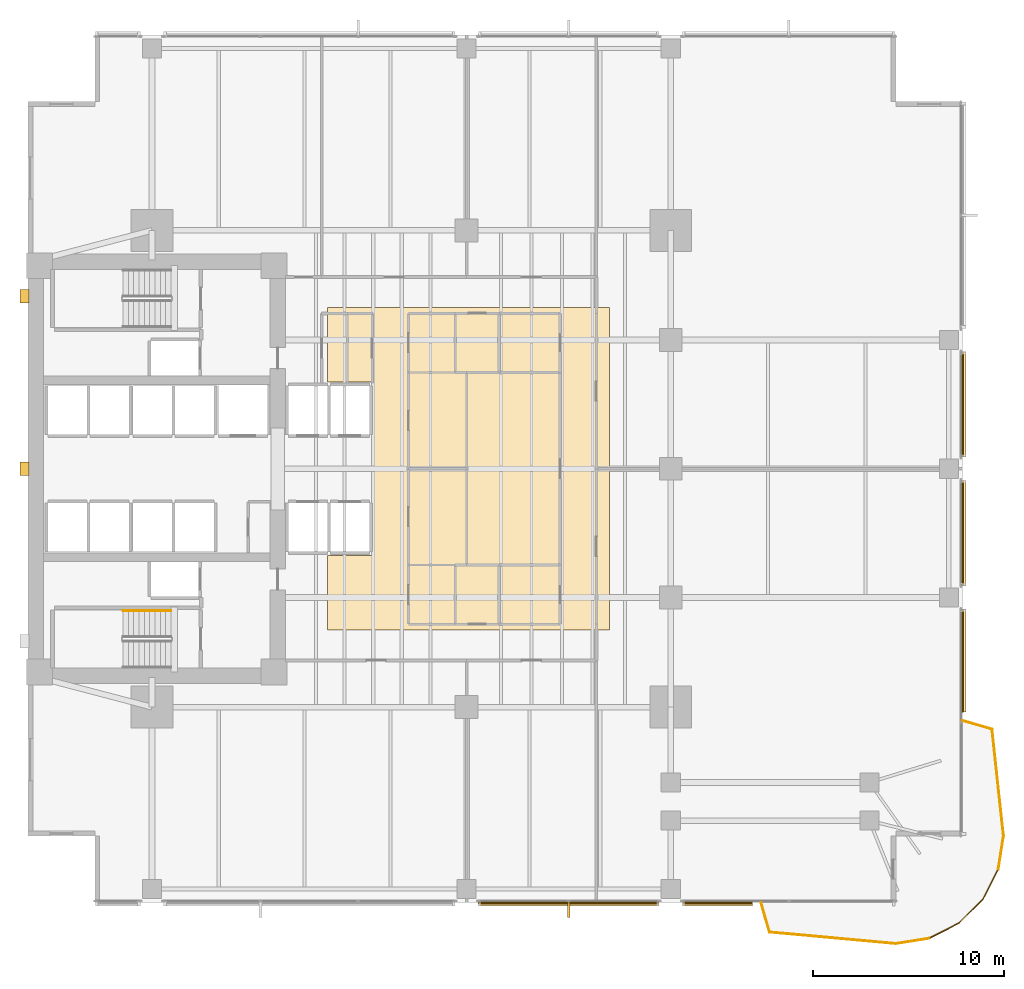
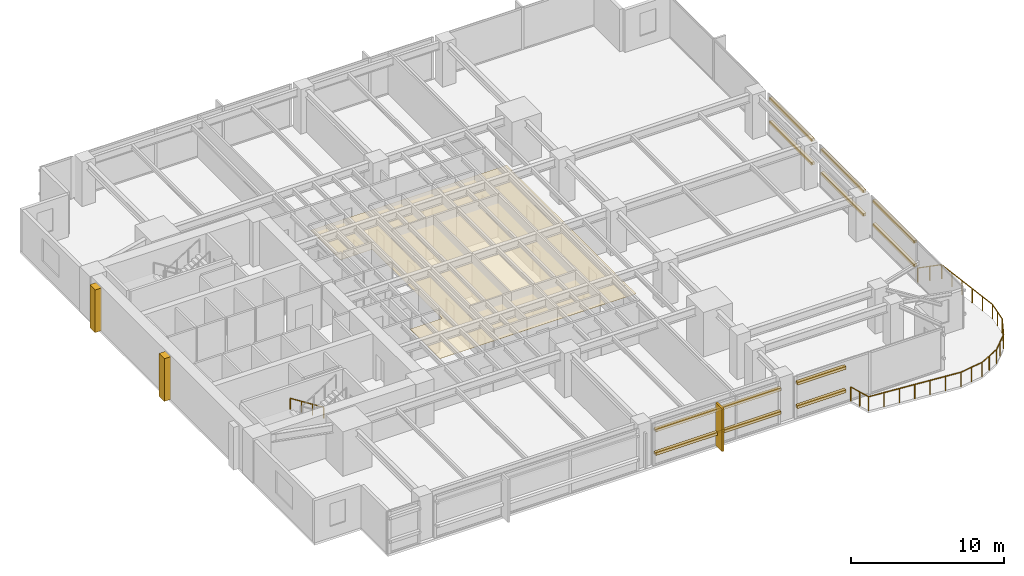
# One storey, part 13 of 15: 14 coverings, 10 railings, 10 shading devices.
"""IFC4 building model written with IfcOpenShell, lengths in metres."""

from ifc_helpers import new_model, si_unit, direction, frame, origin, origin_2d, place, context, subcontext, project, spatial, polyline, rectangle, circle, outline, extrude, material, layer, layer_set, material_profile, profile_set, type_object, element, save


model = new_model("IFC4")

# Units and contexts
model_context = context("Model", 3, precision=1e-05, world=origin(), true_north=direction((0.0, 1.0)))
body_context = subcontext(model_context, "Body", "Model", "MODEL_VIEW")
ifc_project = project(units=[si_unit("LENGTHUNIT", "METRE"), si_unit("AREAUNIT", "SQUARE_METRE"), si_unit("VOLUMEUNIT", "CUBIC_METRE"), si_unit("PLANEANGLEUNIT", "RADIAN"), si_unit("MASSUNIT", "GRAM", prefix="KILO")], contexts=[model_context])

# Site, building, storey
site_placement = place(None, origin())
site = spatial("IfcSite", under=ifc_project, at=site_placement, CompositionType="ELEMENT")
building_placement = place(site_placement, origin())
building = spatial("IfcBuilding", under=site, at=building_placement, Name="Kinhvarn Gate Tower", CompositionType="ELEMENT")
storey_placement = place(building_placement, frame((0.0, 0.0, 36.25)))
storey = spatial("IfcBuildingStorey", under=building, at=storey_placement, Name="L08", CompositionType="ELEMENT", Elevation=36.25)

# Coverings
ifc_material_1 = material(Name="Fired architectural terracotta", Category="masonry")
ifc_layer_1 = layer(ifc_material_1, 0.239990234375)
ifc_layer_set_1 = layer_set([ifc_layer_1], Name="Fired architectural terracotta")
covering_type_1 = type_object("IfcCoveringType", Name="COV-BAG-220", PredefinedType="CLADDING", material=ifc_layer_set_1)
for number, where, name in (
    (1, (0.0, 0.0, 0.93994140625), "Terracotta Horizontal Sunscreen Band TBG-220 (L08)"),
    (2, (0.0, 0.0, 2.81005859375), "Terracotta Horizontal Sunscreen Band TBG-220 (L08)"),
):
    element("IfcCovering", number, at=place(storey_placement, frame(where)), inside=storey, type_object=covering_type_1, Name=name, PredefinedType="CLADDING", context=body_context, shape_type="SweptSolid", body=[
        extrude(outline(polyline([(28.1201171875, 2.56005859375), (37.580078125, 2.56005859375), (37.580078125, 2.320068359375), (28.1201171875, 2.320068359375), (28.1201171875, 2.56005859375)])), origin(), (0.0, 0.0, 1.0), 0.219970703125),
    ])
for number, where, name in (
    (3, (0.0, 0.0, 0.93994140625), "Terracotta Horizontal Sunscreen Band TBG-220 (L08)"),
    (4, (0.0, 0.0, 2.81005859375), "Terracotta Horizontal Sunscreen Band TBG-220 (L08)"),
):
    element("IfcCovering", number, at=place(storey_placement, frame(where)), inside=storey, type_object=covering_type_1, Name=name, PredefinedType="CLADDING", context=body_context, shape_type="SweptSolid", body=[
        extrude(outline(polyline([(38.820068359375, 2.56005859375), (42.486083984375, 2.56005859375), (42.486083984375, 2.320068359375), (38.820068359375, 2.320068359375), (38.820068359375, 2.56005859375)])), origin(), (0.0, 0.0, 1.0), 0.219970703125),
    ])
for number, where, name in (
    (5, (0.0, 0.0, 0.93994140625), "Terracotta Horizontal Sunscreen Band TBG-220 (L08)"),
    (6, (0.0, 0.0, 2.81005859375), "Terracotta Horizontal Sunscreen Band TBG-220 (L08)"),
):
    element("IfcCovering", number, at=place(storey_placement, frame(where)), inside=storey, type_object=covering_type_1, Name=name, PredefinedType="CLADDING", context=body_context, shape_type="SweptSolid", body=[
        extrude(outline(polyline([(53.43994140625, 12.489990234375), (53.43994140625, 17.8798828125), (53.679931640625, 17.8798828125), (53.679931640625, 12.489990234375), (53.43994140625, 12.489990234375)])), origin(), (0.0, 0.0, 1.0), 0.219970703125),
    ])
for number, where, name in (
    (7, (0.0, 0.0, 0.93994140625), "Terracotta Horizontal Sunscreen Band TBG-220 (L08)"),
    (8, (0.0, 0.0, 2.81005859375), "Terracotta Horizontal Sunscreen Band TBG-220 (L08)"),
):
    element("IfcCovering", number, at=place(storey_placement, frame(where)), inside=storey, type_object=covering_type_1, Name=name, PredefinedType="CLADDING", context=body_context, shape_type="SweptSolid", body=[
        extrude(outline(polyline([(53.43994140625, 19.1201171875), (53.43994140625, 24.6298828125), (53.679931640625, 24.6298828125), (53.679931640625, 19.1201171875), (53.43994140625, 19.1201171875)])), origin(), (0.0, 0.0, 1.0), 0.219970703125),
    ])
for number, where, name in (
    (9, (0.0, 0.0, 0.93994140625), "Terracotta Horizontal Sunscreen Band TBG-220 (L08)"),
    (10, (0.0, 0.0, 2.81005859375), "Terracotta Horizontal Sunscreen Band TBG-220 (L08)"),
):
    element("IfcCovering", number, at=place(storey_placement, frame(where)), inside=storey, type_object=covering_type_1, Name=name, PredefinedType="CLADDING", context=body_context, shape_type="SweptSolid", body=[
        extrude(outline(polyline([(53.43994140625, 25.8701171875), (53.43994140625, 31.3798828125), (53.679931640625, 31.3798828125), (53.679931640625, 25.8701171875), (53.43994140625, 25.8701171875)])), origin(), (0.0, 0.0, 1.0), 0.219970703125),
    ])
ifc_material_2 = material(Name="Mineral-fibre acoustic ceiling tile")
ifc_layer_2 = layer(ifc_material_2, 0.02001953125)
ifc_layer_set_2 = layer_set([ifc_layer_2], Name="Mineral-fibre acoustic ceiling tile")
covering_type_2 = type_object("IfcCoveringType", Name="COV-CEIL-20", PredefinedType="CEILING", material=ifc_layer_set_2)
covering_1_placement = place(storey_placement, frame((0.0, 0.0, 2.64990234375)))
element("IfcCovering", 11, at=covering_1_placement, inside=storey, type_object=covering_type_2, Name="Suspended Acoustic Ceiling Tile (L08-1)", PredefinedType="CEILING", context=body_context, shape_type="SweptSolid", body=[
    extrude(outline(polyline([(35.0, 33.699951171875), (35.0, 16.800048828125), (20.199951171875, 16.800048828125), (20.199951171875, 20.699951171875), (22.60009765625, 20.699951171875), (22.60009765625, 29.800048828125), (20.199951171875, 29.800048828125), (20.199951171875, 33.699951171875), (35.0, 33.699951171875)])), origin(), (0.0, 0.0, 1.0), 0.02001953125),
])
ifc_layer_3 = layer(ifc_material_1, 0.139892578125)
ifc_layer_set_3 = layer_set([ifc_layer_3], Name="Fired architectural terracotta")
covering_type_3 = type_object("IfcCoveringType", Name="COV-FIN-850", PredefinedType="CLADDING", material=ifc_layer_set_3)
covering_2_placement = place(storey_placement, frame((0.0, 0.0, -0.02001953125)))
element("IfcCovering", 12, at=covering_2_placement, inside=storey, type_object=covering_type_3, Name="Vertical Terracotta Expressive Fin TFN-850 (L08)", PredefinedType="CLADDING", context=body_context, shape_type="SweptSolid", body=[
    extrude(outline(polyline([(32.780029296875, 2.570068359375), (32.919921875, 2.570068359375), (32.919921875, 1.719970703125), (32.780029296875, 1.719970703125), (32.780029296875, 2.570068359375)])), origin(), (0.0, 0.0, 1.0), 3.409912109375),
])
ifc_material_3 = material(Name="Precast white architectural concrete C40/50", Category="concrete")
ifc_layer_4 = layer(ifc_material_3, 0.47998046875)
ifc_layer_set_4 = layer_set([ifc_layer_4], Name="Precast white architectural concrete C40/50")
covering_type_4 = type_object("IfcCoveringType", Name="COV-RIB-450", PredefinedType="CLADDING", material=ifc_layer_set_4)
covering_3_placement = place(storey_placement, frame((0.0, 0.0, -0.02001953125)))
element("IfcCovering", 13, at=covering_3_placement, inside=storey, type_object=covering_type_4, Name="West Core Sculptural Concrete Relief Rib CRB-450 (L08)", PredefinedType="CLADDING", context=body_context, shape_type="SweptSolid", body=[
    extrude(outline(polyline([(4.080078125, 24.89990234375), (4.56005859375, 24.89990234375), (4.56005859375, 25.60009765625), (4.080078125, 25.60009765625), (4.080078125, 24.89990234375)])), origin(), (0.0, 0.0, 1.0), 3.409912109375),
])
covering_4_placement = place(storey_placement, frame((0.0, 0.0, -0.02001953125)))
element("IfcCovering", 14, at=covering_4_placement, inside=storey, type_object=covering_type_4, Name="West Core Sculptural Concrete Relief Rib CRB-450 (L08)", PredefinedType="CLADDING", context=body_context, shape_type="SweptSolid", body=[
    extrude(outline(polyline([(4.080078125, 33.949951171875), (4.56005859375, 33.949951171875), (4.56005859375, 34.64990234375), (4.080078125, 34.64990234375), (4.080078125, 33.949951171875)])), origin(), (0.0, 0.0, 1.0), 3.409912109375),
])

# Railings
ifc_material_4 = material(Name="Clear low-e double glazing", Category="glass")
railing_type_1 = type_object("IfcRailingType", Name="RL-BAL-1150", PredefinedType="BALUSTRADE", material=ifc_material_4)
railing_1_placement = place(storey_placement, frame((42.93603515625, 2.5, 0.0)))
element("IfcRailing", 15, at=railing_1_placement, inside=storey, type_object=railing_type_1, Name="S-Carve Balcony Guardrail Seg 1 (L08)", PredefinedType="BALUSTRADE", context=body_context, shape_type="SweptSolid", body=[
    extrude(circle(Radius=0.02392578125, at=origin_2d()), frame((0.0, 0.0, 1.1259765625), z_axis=(0.279098523132, -0.960262471612, 0.0), x_axis=(0.960262471612, 0.279098523132, 0.0)), (0.0, 0.0, 1.0), 1.612060546875),
    extrude(circle(Radius=0.02099609375, at=origin_2d()), origin(), (0.0, 0.0, 1.0), 1.101806640625),
    extrude(circle(Radius=0.02099609375, at=origin_2d()), frame((0.22509765625, -0.77392578125, 0.0)), (0.0, 0.0, 1.0), 1.101806640625),
    extrude(circle(Radius=0.02099609375, at=origin_2d()), frame((0.449951171875, -1.548095703125, 0.0)), (0.0, 0.0, 1.0), 1.101806640625),
])
railing_2_placement = place(storey_placement, frame((43.385986328125, 0.951904296875, 0.0)))
element("IfcRailing", 16, at=railing_2_placement, inside=storey, type_object=railing_type_1, Name="S-Carve Balcony Guardrail Seg 2 (L08)", PredefinedType="BALUSTRADE", context=body_context, shape_type="SweptSolid", body=[
    extrude(circle(Radius=0.02392578125, at=origin_2d()), frame((0.0, 0.0, 1.1259765625), z_axis=(0.995885971664, -0.090615293646, 0.0), x_axis=(0.090615293646, 0.995885971664, 0.0)), (0.0, 0.0, 1.0), 6.641357421875),
    extrude(circle(Radius=0.02099609375, at=origin_2d()), origin(), (0.0, 0.0, 1.0), 1.101806640625),
    extrude(circle(Radius=0.02099609375, at=origin_2d()), frame((1.102294921875, -0.100341796875, 0.0)), (0.0, 0.0, 1.0), 1.101806640625),
    extrude(circle(Radius=0.02099609375, at=origin_2d()), frame((2.20458984375, -0.20068359375, 0.0)), (0.0, 0.0, 1.0), 1.101806640625),
    extrude(circle(Radius=0.02099609375, at=origin_2d()), frame((3.30712890625, -0.30078125, 0.0)), (0.0, 0.0, 1.0), 1.101806640625),
    extrude(circle(Radius=0.02099609375, at=origin_2d()), frame((4.409423828125, -0.401123046875, 0.0)), (0.0, 0.0, 1.0), 1.101806640625),
    extrude(circle(Radius=0.02099609375, at=origin_2d()), frame((5.51171875, -0.50146484375, 0.0)), (0.0, 0.0, 1.0), 1.101806640625),
    extrude(circle(Radius=0.02099609375, at=origin_2d()), frame((6.614013671875, -0.601806640625, 0.0)), (0.0, 0.0, 1.0), 1.101806640625),
])
railing_3_placement = place(storey_placement, frame((50.0, 0.35009765625, 0.0)))
element("IfcRailing", 17, at=railing_3_placement, inside=storey, type_object=railing_type_1, Name="S-Carve Balcony Guardrail Seg 3 (L08)", PredefinedType="BALUSTRADE", context=body_context, shape_type="SweptSolid", body=[
    extrude(circle(Radius=0.02392578125, at=origin_2d()), frame((0.0, 0.0, 1.1259765625), z_axis=(0.987701293922, 0.156352659029, 0.0), x_axis=(-0.156352659029, 0.987701293922, 0.0)), (0.0, 0.0, 1.0), 1.767578125),
    extrude(circle(Radius=0.02099609375, at=origin_2d()), origin(), (0.0, 0.0, 1.0), 1.101806640625),
    extrude(circle(Radius=0.02099609375, at=origin_2d()), frame((0.873046875, 0.13818359375, 0.0)), (0.0, 0.0, 1.0), 1.101806640625),
    extrude(circle(Radius=0.02099609375, at=origin_2d()), frame((1.745849609375, 0.2763671875, 0.0)), (0.0, 0.0, 1.0), 1.101806640625),
])
railing_4_placement = place(storey_placement, frame((51.745849609375, 0.62646484375, 0.0)))
element("IfcRailing", 18, at=railing_4_placement, inside=storey, type_object=railing_type_1, Name="S-Carve Balcony Guardrail Seg 4 (L08)", PredefinedType="BALUSTRADE", context=body_context, shape_type="SweptSolid", body=[
    extrude(circle(Radius=0.02392578125, at=origin_2d()), frame((0.0, 0.0, 1.1259765625), z_axis=(0.890976257373, 0.454049896814, 0.0), x_axis=(-0.454049896814, 0.890976257373, 0.0)), (0.0, 0.0, 1.0), 1.767822265625),
    extrude(circle(Radius=0.02099609375, at=origin_2d()), origin(), (0.0, 0.0, 1.0), 1.101806640625),
    extrude(circle(Radius=0.02099609375, at=origin_2d()), frame((0.78759765625, 0.4013671875, 0.0)), (0.0, 0.0, 1.0), 1.101806640625),
    extrude(circle(Radius=0.02099609375, at=origin_2d()), frame((1.5751953125, 0.802734375, 0.0)), (0.0, 0.0, 1.0), 1.101806640625),
])
railing_5_placement = place(storey_placement, frame((53.321044921875, 1.42919921875, 0.0)))
element("IfcRailing", 19, at=railing_5_placement, inside=storey, type_object=railing_type_1, Name="S-Carve Balcony Guardrail Seg 5 (L08)", PredefinedType="BALUSTRADE", context=body_context, shape_type="SweptSolid", body=[
    extrude(circle(Radius=0.02392578125, at=origin_2d()), frame((0.0, 0.0, 1.1259765625), z_axis=(0.707106781187, 0.707106781187, 0.0), x_axis=(-0.707106781187, 0.707106781187, 0.0)), (0.0, 0.0, 1.0), 1.767333984375),
    extrude(circle(Radius=0.02099609375, at=origin_2d()), origin(), (0.0, 0.0, 1.0), 1.101806640625),
    extrude(circle(Radius=0.02099609375, at=origin_2d()), frame((0.625, 0.625, 0.0)), (0.0, 0.0, 1.0), 1.101806640625),
    extrude(circle(Radius=0.02099609375, at=origin_2d()), frame((1.249755859375, 1.249755859375, 0.0)), (0.0, 0.0, 1.0), 1.101806640625),
])
railing_6_placement = place(storey_placement, frame((54.57080078125, 2.678955078125, 0.0)))
element("IfcRailing", 20, at=railing_6_placement, inside=storey, type_object=railing_type_1, Name="S-Carve Balcony Guardrail Seg 6 (L08)", PredefinedType="BALUSTRADE", context=body_context, shape_type="SweptSolid", body=[
    extrude(circle(Radius=0.02392578125, at=origin_2d()), frame((0.0, 0.0, 1.1259765625), z_axis=(0.454049896814, 0.890976257373, 0.0), x_axis=(-0.890976257373, 0.454049896814, 0.0)), (0.0, 0.0, 1.0), 1.767822265625),
    extrude(circle(Radius=0.02099609375, at=origin_2d()), origin(), (0.0, 0.0, 1.0), 1.101806640625),
    extrude(circle(Radius=0.02099609375, at=origin_2d()), frame((0.4013671875, 0.78759765625, 0.0)), (0.0, 0.0, 1.0), 1.101806640625),
    extrude(circle(Radius=0.02099609375, at=origin_2d()), frame((0.802734375, 1.5751953125, 0.0)), (0.0, 0.0, 1.0), 1.101806640625),
])
railing_7_placement = place(storey_placement, frame((55.37353515625, 4.254150390625, 0.0)))
element("IfcRailing", 21, at=railing_7_placement, inside=storey, type_object=railing_type_1, Name="S-Carve Balcony Guardrail Seg 7 (L08)", PredefinedType="BALUSTRADE", context=body_context, shape_type="SweptSolid", body=[
    extrude(circle(Radius=0.02392578125, at=origin_2d()), frame((0.0, 0.0, 1.1259765625), z_axis=(0.156352659029, 0.987701293922, 0.0), x_axis=(-0.987701293922, 0.156352659029, 0.0)), (0.0, 0.0, 1.0), 1.767578125),
    extrude(circle(Radius=0.02099609375, at=origin_2d()), origin(), (0.0, 0.0, 1.0), 1.101806640625),
    extrude(circle(Radius=0.02099609375, at=origin_2d()), frame((0.13818359375, 0.873046875, 0.0)), (0.0, 0.0, 1.0), 1.101806640625),
    extrude(circle(Radius=0.02099609375, at=origin_2d()), frame((0.2763671875, 1.745849609375, 0.0)), (0.0, 0.0, 1.0), 1.101806640625),
])
railing_8_placement = place(storey_placement, frame((55.64990234375, 6.0, 0.0)))
element("IfcRailing", 22, at=railing_8_placement, inside=storey, type_object=railing_type_1, Name="S-Carve Balcony Guardrail Seg 8 (L08)", PredefinedType="BALUSTRADE", context=body_context, shape_type="SweptSolid", body=[
    extrude(circle(Radius=0.02392578125, at=origin_2d()), frame((0.0, 0.0, 1.1259765625), z_axis=(-0.107037538793, 0.994254980017, 0.0), x_axis=(-0.994254980017, -0.107037538793, 0.0)), (0.0, 0.0, 1.0), 5.622314453125),
    extrude(circle(Radius=0.02099609375, at=origin_2d()), origin(), (0.0, 0.0, 1.0), 1.101806640625),
    extrude(circle(Radius=0.02099609375, at=origin_2d()), frame((-0.120361328125, 1.117919921875, 0.0)), (0.0, 0.0, 1.0), 1.101806640625),
    extrude(circle(Radius=0.02099609375, at=origin_2d()), frame((-0.24072265625, 2.236083984375, 0.0)), (0.0, 0.0, 1.0), 1.101806640625),
    extrude(circle(Radius=0.02099609375, at=origin_2d()), frame((-0.361083984375, 3.35400390625, 0.0)), (0.0, 0.0, 1.0), 1.101806640625),
    extrude(circle(Radius=0.02099609375, at=origin_2d()), frame((-0.4814453125, 4.47216796875, 0.0)), (0.0, 0.0, 1.0), 1.101806640625),
    extrude(circle(Radius=0.02099609375, at=origin_2d()), frame((-0.601806640625, 5.590087890625, 0.0)), (0.0, 0.0, 1.0), 1.101806640625),
])
railing_9_placement = place(storey_placement, frame((55.048095703125, 11.590087890625, 0.0)))
element("IfcRailing", 23, at=railing_9_placement, inside=storey, type_object=railing_type_1, Name="S-Carve Balcony Guardrail Seg 9 (L08)", PredefinedType="BALUSTRADE", context=body_context, shape_type="SweptSolid", body=[
    extrude(circle(Radius=0.02392578125, at=origin_2d()), frame((0.0, 0.0, 1.1259765625), z_axis=(-0.960262471612, 0.279098523132, 0.0), x_axis=(-0.279098523132, -0.960262471612, 0.0)), (0.0, 0.0, 1.0), 1.612060546875),
    extrude(circle(Radius=0.02099609375, at=origin_2d()), origin(), (0.0, 0.0, 1.0), 1.101806640625),
    extrude(circle(Radius=0.02099609375, at=origin_2d()), frame((-0.77392578125, 0.22509765625, 0.0)), (0.0, 0.0, 1.0), 1.101806640625),
    extrude(circle(Radius=0.02099609375, at=origin_2d()), frame((-1.548095703125, 0.449951171875, 0.0)), (0.0, 0.0, 1.0), 1.101806640625),
])
ifc_material_5 = material(Name="Steel S355", Category="steel")
railing_type_2 = type_object("IfcRailingType", Name="RL-ST-HND", PredefinedType="HANDRAIL", material=ifc_material_5)
railing_10_placement = place(storey_placement, frame((12.0, 17.800048828125, 0.177490234375)))
element("IfcRailing", 24, at=railing_10_placement, inside=storey, type_object=railing_type_2, Name="L08 ST1 stair handrail 1", PredefinedType="HANDRAIL", context=body_context, shape_type="SweptSolid", body=[
    extrude(circle(Radius=0.02392578125, at=origin_2d()), frame((0.0, 0.0, 0.8759765625), z_axis=(-0.84460694969, 0.0, 0.535386869969), x_axis=(0.0, -1.0, 0.0)), (0.0, 0.0, 1.0), 2.983642578125),
    extrude(circle(Radius=0.02099609375, at=origin_2d()), origin(), (0.0, 0.0, 1.0), 0.851806640625),
    extrude(circle(Radius=0.02099609375, at=origin_2d()), frame((-0.840087890625, 0.0, 0.532470703125)), (0.0, 0.0, 1.0), 0.851806640625),
    extrude(circle(Radius=0.02099609375, at=origin_2d()), frame((-1.679931640625, 0.0, 1.06494140625)), (0.0, 0.0, 1.0), 0.851806640625),
    extrude(circle(Radius=0.02099609375, at=origin_2d()), frame((-2.52001953125, 0.0, 1.597412109375)), (0.0, 0.0, 1.0), 0.851806640625),
])

# Shading devices
ifc_material_profile = material_profile(ifc_material_1, rectangle(XDim=0.06005859375, YDim=0.139892578125, at=origin_2d()), Name="TC 60x140")
ifc_profile_set = profile_set([ifc_material_profile], Name="Fired architectural terracotta")
shading_device_type = type_object("IfcShadingDeviceType", Name="SHD-BAG-180", PredefinedType="USERDEFINED", material=ifc_profile_set)
for number, where, z_axis, x_axis, name in (
    (25, (28.1201171875, 2.485107421875, 1.050048828125), (1.0, 0.0, 0.0), (0.0, 1.0, 0.0), "Fired Terracotta Baguette Screen Rod 60x140 mm (L08)"),
    (26, (28.1201171875, 2.485107421875, 2.919921875), (1.0, 0.0, 0.0), (0.0, 1.0, 0.0), "Fired Terracotta Baguette Screen Rod 60x140 mm (L08)"),
):
    element("IfcShadingDevice", number, at=place(storey_placement, frame(where, z_axis=z_axis, x_axis=x_axis)), inside=storey, type_object=shading_device_type, Name=name, ObjectType="BAGUETTE", PredefinedType="USERDEFINED", context=body_context, shape_type="SweptSolid", body=[
        extrude(rectangle(XDim=0.06005859375, YDim=0.139892578125, at=origin_2d()), origin(), (0.0, 0.0, 1.0), 9.4599609375),
    ])
for number, where, z_axis, x_axis, name in (
    (27, (38.820068359375, 2.485107421875, 1.050048828125), (1.0, 0.0, 0.0), (0.0, 1.0, 0.0), "Fired Terracotta Baguette Screen Rod 60x140 mm (L08)"),
    (28, (38.820068359375, 2.485107421875, 2.919921875), (1.0, 0.0, 0.0), (0.0, 1.0, 0.0), "Fired Terracotta Baguette Screen Rod 60x140 mm (L08)"),
):
    element("IfcShadingDevice", number, at=place(storey_placement, frame(where, z_axis=z_axis, x_axis=x_axis)), inside=storey, type_object=shading_device_type, Name=name, ObjectType="BAGUETTE", PredefinedType="USERDEFINED", context=body_context, shape_type="SweptSolid", body=[
        extrude(rectangle(XDim=0.06005859375, YDim=0.139892578125, at=origin_2d()), origin(), (0.0, 0.0, 1.0), 3.666015625),
    ])
for number, where, z_axis, x_axis, name in (
    (29, (53.514892578125, 12.489990234375, 1.050048828125), (0.0, 1.0, 0.0), (-1.0, 0.0, 0.0), "Fired Terracotta Baguette Screen Rod 60x140 mm (L08)"),
    (30, (53.514892578125, 12.489990234375, 2.919921875), (0.0, 1.0, 0.0), (-1.0, 0.0, 0.0), "Fired Terracotta Baguette Screen Rod 60x140 mm (L08)"),
):
    element("IfcShadingDevice", number, at=place(storey_placement, frame(where, z_axis=z_axis, x_axis=x_axis)), inside=storey, type_object=shading_device_type, Name=name, ObjectType="BAGUETTE", PredefinedType="USERDEFINED", context=body_context, shape_type="SweptSolid", body=[
        extrude(rectangle(XDim=0.06005859375, YDim=0.139892578125, at=origin_2d()), origin(), (0.0, 0.0, 1.0), 5.389892578125),
    ])
for number, where, z_axis, x_axis, name in (
    (31, (53.514892578125, 19.1201171875, 1.050048828125), (0.0, 1.0, 0.0), (-1.0, 0.0, 0.0), "Fired Terracotta Baguette Screen Rod 60x140 mm (L08)"),
    (32, (53.514892578125, 19.1201171875, 2.919921875), (0.0, 1.0, 0.0), (-1.0, 0.0, 0.0), "Fired Terracotta Baguette Screen Rod 60x140 mm (L08)"),
    (33, (53.514892578125, 25.8701171875, 1.050048828125), (0.0, 1.0, 0.0), (-1.0, 0.0, 0.0), "Fired Terracotta Baguette Screen Rod 60x140 mm (L08)"),
    (34, (53.514892578125, 25.8701171875, 2.919921875), (0.0, 1.0, 0.0), (-1.0, 0.0, 0.0), "Fired Terracotta Baguette Screen Rod 60x140 mm (L08)"),
):
    element("IfcShadingDevice", number, at=place(storey_placement, frame(where, z_axis=z_axis, x_axis=x_axis)), inside=storey, type_object=shading_device_type, Name=name, ObjectType="BAGUETTE", PredefinedType="USERDEFINED", context=body_context, shape_type="SweptSolid", body=[
        extrude(rectangle(XDim=0.06005859375, YDim=0.139892578125, at=origin_2d()), origin(), (0.0, 0.0, 1.0), 5.509765625),
    ])

save(model, "model.ifc")
